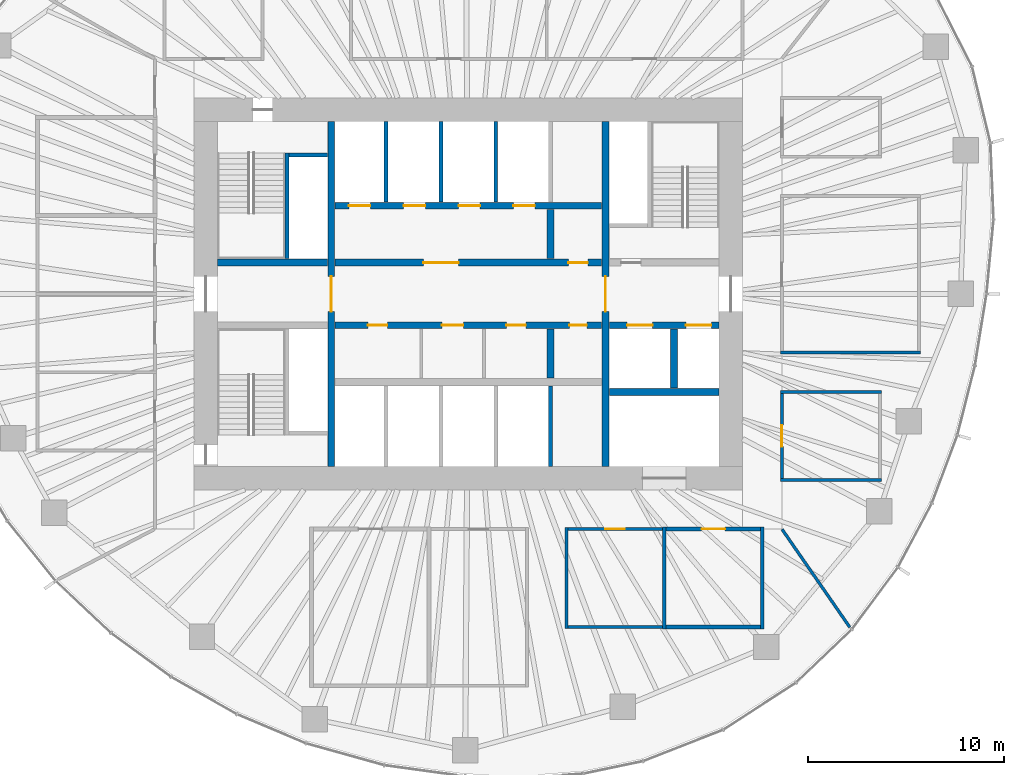
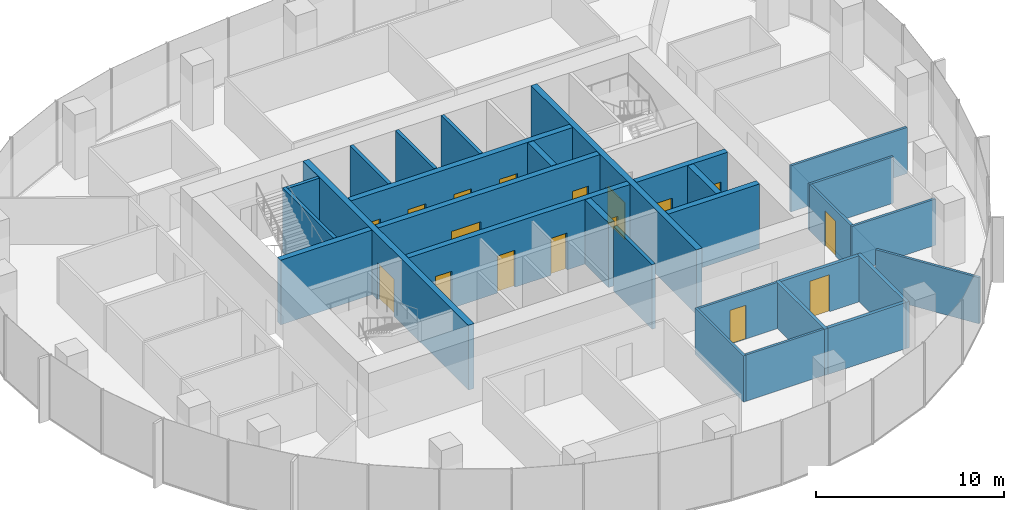
# One storey, part 9 of 12: 29 walls, 17 doors, 17 openings.
"""IFC4 building model written with IfcOpenShell, lengths in metres."""

import ifcopenshell
import ifcopenshell.guid

model = None  # the IFC model being written
_history = None  # IfcOwnerHistory: only IFC2X3 demands one
_inside = {}  # id of a spatial element -> (the spatial element, [elements in it])
_under = {}  # id of a project, library or spatial element -> (it, [spatial elements below it])
_declared = {}  # id of a project -> (the project, [libraries it declares])
_typed = {}  # id of a type object -> (the type object, [elements of that type])
_made_of = {}  # id of a material, layer set ... -> (it, [elements and type objects made of it])


def new_model(schema):
    """Start an empty IFC model of exactly this schema.

    Asked for "IFC4X3", IfcOpenShell would pick the latest addendum, in which some entities
    have other attributes; the version numbers below select the first issue.
    IFC2X3 requires an IfcOwnerHistory on every rooted entity: one is made here for all.
    """
    global model, _history
    if schema == "IFC4X3":
        model = ifcopenshell.file(schema_version=(4, 3, 0, 0))
    else:
        model = ifcopenshell.file(schema=schema)
    _inside.clear()
    _under.clear()
    _declared.clear()
    _typed.clear()
    _made_of.clear()
    _history = None
    if model.schema == "IFC2X3":
        org = make("IfcOrganization", Name="unknown")
        user = make(
            "IfcPersonAndOrganization",
            ThePerson=make("IfcPerson", FamilyName="unknown"),
            TheOrganization=org,
        )
        app = make(
            "IfcApplication",
            ApplicationDeveloper=org,
            Version="unknown",
            ApplicationFullName="unknown",
            ApplicationIdentifier="unknown",
        )
        _history = make(
            "IfcOwnerHistory",
            OwningUser=user,
            OwningApplication=app,
            ChangeAction="ADDED",
            CreationDate=0,
        )
    return model


def make(cls, **values):
    """One entity of the class cls with the attributes given. An attribute that is None is left unset."""
    return model.create_entity(
        cls, **{name: value for name, value in values.items() if value is not None}
    )


def rooted(cls, **values):
    """An entity with a GlobalId (a new one), such as an element, a storey or a relation."""
    return make(cls, GlobalId=ifcopenshell.guid.new(), OwnerHistory=_history, **values)


def si_unit(unit_type, name, prefix=None):
    """IfcSIUnit, for example si_unit("LENGTHUNIT", "METRE", prefix="MILLI")."""
    return make("IfcSIUnit", UnitType=unit_type, Prefix=prefix, Name=name)


def assignment(units):
    """IfcUnitAssignment: the units of a project."""
    return None if units is None else make("IfcUnitAssignment", Units=units)


def point(xyz):
    """IfcCartesianPoint."""
    return None if xyz is None else make("IfcCartesianPoint", Coordinates=xyz)


def direction(xyz):
    """IfcDirection."""
    return None if xyz is None else make("IfcDirection", DirectionRatios=xyz)


def frame(location, z_axis=None, x_axis=None):
    """IfcAxis2Placement3D, a coordinate frame: its origin and axes. An axis left out is left unset."""
    return make(
        "IfcAxis2Placement3D",
        Location=point(location),
        Axis=direction(z_axis),
        RefDirection=direction(x_axis),
    )


def frame_2d(location, x_axis=None):
    """IfcAxis2Placement2D, a coordinate frame in the plane: its origin and x axis."""
    return make(
        "IfcAxis2Placement2D", Location=point(location), RefDirection=direction(x_axis)
    )


def origin():
    """The frame at (0, 0, 0) with its axes left unset."""
    return frame((0.0, 0.0, 0.0))


def place(relative_to, where):
    """IfcLocalPlacement: puts the frame where relative to a parent placement (None: the world)."""
    return make(
        "IfcLocalPlacement", PlacementRelTo=relative_to, RelativePlacement=where
    )


def context(
    kind, dimensions, precision=None, world=None, true_north=None, identifier=None
):
    """IfcGeometricRepresentationContext, for example the 3D "Model" context."""
    return make(
        "IfcGeometricRepresentationContext",
        ContextIdentifier=identifier,
        ContextType=kind,
        CoordinateSpaceDimension=dimensions,
        Precision=precision,
        WorldCoordinateSystem=world,
        TrueNorth=true_north,
    )


def subcontext(parent, identifier, kind, view, scale=None):
    """IfcGeometricRepresentationSubContext, for example "Body" below "Model"."""
    return make(
        "IfcGeometricRepresentationSubContext",
        ContextIdentifier=identifier,
        ContextType=kind,
        ParentContext=parent,
        TargetScale=scale,
        TargetView=view,
    )


def project(units=None, contexts=None):
    """IfcProject with its units and contexts."""
    return rooted(
        "IfcProject",
        Name="project",
        RepresentationContexts=contexts,
        UnitsInContext=assignment(units),
    )


def spatial(cls, under=None, at=None, **own):
    """A site, building, storey or space (cls), placed at a placement, below another one or the project."""
    s = rooted(cls, ObjectPlacement=at, **own)
    if under is not None:
        _under.setdefault(under.id(), (under, []))[1].append(s)
    return s


def profile(cls, at=None, kind="AREA", **sizes):
    """A parametric profile (cls). Its sizes go by their IFC names, for example OverallWidth=200.0."""
    return make(cls, ProfileType=kind, Position=at, **sizes)


def rectangle(**sizes):
    """IfcRectangleProfileDef."""
    return profile("IfcRectangleProfileDef", **sizes)


def extrude(swept, where, along, depth):
    """IfcExtrudedAreaSolid: the profile swept, set in the frame where, extruded along a direction by depth."""
    return make(
        "IfcExtrudedAreaSolid",
        SweptArea=swept,
        Position=where,
        ExtrudedDirection=direction(along),
        Depth=depth,
    )


def shape(context_of_items, identifier, shape_type, items):
    """IfcShapeRepresentation: the items that make up one representation, for example the "Body"."""
    return make(
        "IfcShapeRepresentation",
        ContextOfItems=context_of_items,
        RepresentationIdentifier=identifier,
        RepresentationType=shape_type,
        Items=items,
    )


def material(Name=None, Category=None):
    """IfcMaterial."""
    return make("IfcMaterial", Name=Name, Category=Category)


def layer(
    of_material, thickness, ventilated=None, Name=None, Category=None, Priority=None
):
    """IfcMaterialLayer: one layer of a wall or slab, of a material (None: an air gap)."""
    return make(
        "IfcMaterialLayer",
        Material=of_material,
        LayerThickness=thickness,
        IsVentilated=ventilated,
        Name=Name,
        Category=Category,
        Priority=Priority,
    )


def layer_set(layers, Name=None):
    """IfcMaterialLayerSet."""
    return make("IfcMaterialLayerSet", MaterialLayers=layers, LayerSetName=Name)


def made_of(thing, what):
    """Note that an element or type object is made of a material, layer set ...; save() writes the relation."""
    if what is not None:
        _made_of.setdefault(what.id(), (what, []))[1].append(thing)
    return thing


def type_object(cls, material=None, **own):
    """A type object (cls), such as IfcWallType, which elements share."""
    return made_of(rooted(cls, **own), material)


def element(
    cls,
    number,
    at=None,
    inside=None,
    cuts=None,
    type_object=None,
    material=None,
    context=None,
    identifier="Body",
    shape_type=None,
    held_by="IfcProductDefinitionShape",
    body=None,
    shapes=None,
    **own,
):
    """One element of the class cls, such as IfcWall. Its Tag is "e" and its number.

    at: its placement. inside: the storey or other place that contains it. cuts: it is an
    opening in that element (IfcRelVoidsElement). A single representation is given by context,
    identifier, shape_type and body (its items); several are given by shapes. held_by: the class
    of the entity that holds the representations. save() writes the other relations.
    """
    e = rooted(cls, Tag="e%d" % number, ObjectPlacement=at, **own)
    if body is not None:
        shapes = [shape(context, identifier, shape_type, body)]
    if shapes is not None:
        e.Representation = make(held_by, Representations=shapes)
    if inside is not None:
        _inside.setdefault(inside.id(), (inside, []))[1].append(e)
    if cuts is not None:
        rooted(
            "IfcRelVoidsElement", RelatingBuildingElement=cuts, RelatedOpeningElement=e
        )
    if type_object is not None:
        _typed.setdefault(type_object.id(), (type_object, []))[1].append(e)
    return made_of(e, material)


def fill(opening, filler):
    """IfcRelFillsElement: the door or window that sits in an opening."""
    return rooted(
        "IfcRelFillsElement",
        RelatingOpeningElement=opening,
        RelatedBuildingElement=filler,
    )


def aggregate(whole, parts):
    """IfcRelAggregates: a whole, such as a stair, and the parts it consists of."""
    return rooted("IfcRelAggregates", RelatingObject=whole, RelatedObjects=parts)


def save(model, path):
    """Write the relations noted so far, then the file.

    IfcRelAggregates (storeys below a building ...), IfcRelContainedInSpatialStructure (elements
    in a storey), IfcRelDefinesByType, IfcRelAssociatesMaterial and IfcRelDeclares: one each for
    every whole, place, type object, material and project.
    """
    for whole, parts in _under.values():
        aggregate(whole, parts)
    for where, things in _inside.values():
        rooted(
            "IfcRelContainedInSpatialStructure",
            RelatedElements=things,
            RelatingStructure=where,
        )
    for kind, things in _typed.values():
        rooted("IfcRelDefinesByType", RelatedObjects=things, RelatingType=kind)
    for what, things in _made_of.values():
        rooted("IfcRelAssociatesMaterial", RelatedObjects=things, RelatingMaterial=what)
    for by, libraries in _declared.values():
        rooted("IfcRelDeclares", RelatingContext=by, RelatedDefinitions=libraries)
    model.write(path)


model = new_model("IFC4")

# Units and contexts
model_context = context("Model", 3, precision=1e-05, world=origin(), true_north=direction((0.0, 1.0)))
body_context = subcontext(model_context, "Body", "Model", "MODEL_VIEW")
ifc_project = project(units=[si_unit("LENGTHUNIT", "METRE"), si_unit("AREAUNIT", "SQUARE_METRE"), si_unit("VOLUMEUNIT", "CUBIC_METRE"), si_unit("PLANEANGLEUNIT", "RADIAN"), si_unit("MASSUNIT", "GRAM", prefix="KILO")], contexts=[model_context])

# Site, building, storey
site_placement = place(None, origin())
site = spatial("IfcSite", under=ifc_project, at=site_placement, CompositionType="ELEMENT")
building_placement = place(site_placement, origin())
building = spatial("IfcBuilding", under=site, at=building_placement, Name="Ghaith Harvest Tower", CompositionType="ELEMENT")
storey_placement = place(building_placement, frame((0.0, 0.0, 224.199951171875)))
storey = spatial("IfcBuildingStorey", under=building, at=storey_placement, Name="L49", CompositionType="ELEMENT", Elevation=224.199951171875)

# Walls
ifc_material_1 = material(Name="Twin-stud gypsum board, acoustic", Category="gypsum")
ifc_layer_1 = layer(ifc_material_1, 0.199951171875)
ifc_layer_set_1 = layer_set([ifc_layer_1], Name="ACOUSTIC PARTITION 200")
wall_type_1 = type_object("IfcWallType", Name="ACOUSTIC PARTITION 200", PredefinedType="PARTITIONING", material=ifc_layer_set_1)
for number, where, z_axis, x_axis, name in (
    (1, (10.0, -11.89990234375, 0.0), (0.0, 0.0, 1.0), (0.0, -1.0, 0.0), "Partition L49 row S4 cross wall 2"),
    (2, (15.0, -11.89990234375, 0.0), (0.0, 0.0, 1.0), (0.0, -1.0, 0.0), "Partition L49 row S4 cross wall 3"),
):
    element("IfcWall", number, at=place(storey_placement, frame(where, z_axis=z_axis, x_axis=x_axis)), inside=storey, type_object=wall_type_1, Name=name, PredefinedType="PARTITIONING", context=body_context, shape_type="SweptSolid", body=[
        extrude(rectangle(XDim=5.2001953125, YDim=0.199951171875, at=frame_2d((2.60009765625, 0.0))), origin(), (0.0, 0.0, 1.0), 3.0),
    ])

# Wall, opening, door
wall_1_placement = place(storey_placement, frame((10.10009765625, -12.0, 0.0), z_axis=(0.0, 0.0, 1.0), x_axis=(1.0, 0.0, 0.0)))
wall_1 = element("IfcWall", 3, at=wall_1_placement, inside=storey, type_object=wall_type_1, Name="Partition L49-07", PredefinedType="PARTITIONING", context=body_context, shape_type="SweptSolid", body=[
    extrude(rectangle(XDim=4.7998046875, YDim=0.199951171875, at=frame_2d((2.39990234375, 0.0))), origin(), (0.0, 0.0, 1.0), 3.0),
])
opening_1_placement = place(wall_1_placement, frame((1.800048828125, 0.0, 0.0)))
opening_1 = element("IfcOpeningElement", 4, at=opening_1_placement, cuts=wall_1, Name="Opening 49-027", PredefinedType="OPENING", context=body_context, shape_type="SweptSolid", body=[
    extrude(rectangle(XDim=1.199951171875, YDim=2.39990234375, at=frame_2d((0.60009765625, 1.199951171875))), frame((0.0, 0.10986328125, 0.0), z_axis=(0.0, -1.0, 0.0), x_axis=(1.0, 0.0, 0.0)), (0.0, 0.0, 1.0), 0.219970703125),
])
ifc_material_2 = material(Name="Timber door", Category="wood")
door_type_1 = type_object("IfcDoorType", Name="D11 GLAZED 1200x2400", OperationType="SINGLE_SWING_LEFT", PredefinedType="DOOR", material=ifc_material_2)
door_1_placement = place(opening_1_placement, origin())
door_1 = element("IfcDoor", 5, at=door_1_placement, inside=storey, type_object=door_type_1, Name="Meeting room door", OperationType="SINGLE_SWING_LEFT", OverallHeight=2.39990234375, OverallWidth=1.199951171875, PredefinedType="DOOR", context=body_context, shape_type="SweptSolid", body=[
    extrude(rectangle(XDim=1.199951171875, YDim=2.39990234375, at=frame_2d((0.60009765625, 1.199951171875))), frame((0.0, 0.02490234375, 0.0), z_axis=(0.0, -1.0, 0.0), x_axis=(1.0, 0.0, 0.0)), (0.0, 0.0, 1.0), 0.050048828125),
])
fill(opening_1, door_1)

# Walls
wall_2_placement = place(storey_placement, frame((10.10009765625, -17.0, 0.0), z_axis=(0.0, 0.0, 1.0), x_axis=(1.0, 0.0, 0.0)))
element("IfcWall", 6, at=wall_2_placement, inside=storey, type_object=wall_type_1, Name="Partition L49-07", PredefinedType="PARTITIONING", context=body_context, shape_type="SweptSolid", body=[
    extrude(rectangle(XDim=4.7998046875, YDim=0.199951171875, at=frame_2d((2.39990234375, 0.0))), origin(), (0.0, 0.0, 1.0), 3.0),
])
ifc_material_3 = material(Name="Concrete blockwork, 2-hour", Category="masonry")
ifc_layer_2 = layer(ifc_material_3, 0.199951171875)
ifc_layer_set_2 = layer_set([ifc_layer_2], Name="LIFT SHAFT WALL 200")
wall_type_2 = type_object("IfcWallType", Name="LIFT SHAFT WALL 200", PredefinedType="PARTITIONING", material=ifc_layer_set_2)
for number, where, z_axis, x_axis, name in (
    (7, (-4.199951171875, 4.699951171875, 0.0), (0.0, 0.0, 1.0), (0.0, 1.0, 0.0), "Lift shaft wall L49"),
    (8, (-1.39990234375, 4.699951171875, 0.0), (0.0, 0.0, 1.0), (0.0, 1.0, 0.0), "Lift shaft wall L49"),
    (9, (1.39990234375, 4.699951171875, 0.0), (0.0, 0.0, 1.0), (0.0, 1.0, 0.0), "Lift shaft wall L49"),
    (10, (4.199951171875, -4.699951171875, 0.0), (0.0, 0.0, 1.0), (0.0, -1.0, 0.0), "Lift shaft wall L49"),
):
    element("IfcWall", number, at=place(storey_placement, frame(where, z_axis=z_axis, x_axis=x_axis)), inside=storey, type_object=wall_type_2, Name=name, PredefinedType="PARTITIONING", context=body_context, shape_type="SweptSolid", body=[
        extrude(rectangle(XDim=4.10009765625, YDim=0.199951171875, at=frame_2d((2.050048828125, 0.0))), origin(), (0.0, 0.0, 1.0), 4.199951171875),
    ])
ifc_material_4 = material(Name="Gypsum board on steel studs", Category="steel")
ifc_layer_3 = layer(ifc_material_4, 0.14990234375)
ifc_layer_set_3 = layer_set([ifc_layer_3], Name="PARTITION 150")
wall_type_3 = type_object("IfcWallType", Name="PARTITION 150", PredefinedType="PARTITIONING", material=ifc_layer_set_3)
wall_3_placement = place(storey_placement, frame((5.0, -11.925048828125, 0.0), z_axis=(0.0, 0.0, 1.0), x_axis=(0.0, -1.0, 0.0)))
element("IfcWall", 11, at=wall_3_placement, inside=storey, type_object=wall_type_3, Name="Partition L49 row S4 cross wall 1", PredefinedType="PARTITIONING", context=body_context, shape_type="SweptSolid", body=[
    extrude(rectangle(XDim=5.14990234375, YDim=0.14990234375, at=frame_2d((2.574951171875, 0.0))), origin(), (0.0, 0.0, 1.0), 3.0),
])

# Wall, opening, door
wall_4_placement = place(storey_placement, frame((5.074951171875, -12.0, 0.0), z_axis=(0.0, 0.0, 1.0), x_axis=(1.0, 0.0, 0.0)))
wall_4 = element("IfcWall", 12, at=wall_4_placement, inside=storey, type_object=wall_type_3, Name="Partition L49-06", PredefinedType="PARTITIONING", context=body_context, shape_type="SweptSolid", body=[
    extrude(rectangle(XDim=4.824951171875, YDim=0.14990234375, at=frame_2d((2.41259765625, 0.0))), origin(), (0.0, 0.0, 1.0), 3.0),
])
opening_2_placement = place(wall_4_placement, frame((1.91259765625, 0.0, 0.0)))
opening_2 = element("IfcOpeningElement", 13, at=opening_2_placement, cuts=wall_4, Name="Opening 49-026", PredefinedType="OPENING", context=body_context, shape_type="SweptSolid", body=[
    extrude(rectangle(XDim=1.0, YDim=2.199951171875, at=frame_2d((0.5, 1.10009765625))), frame((0.0, 0.0849609375, 0.0), z_axis=(0.0, -1.0, 0.0), x_axis=(1.0, 0.0, 0.0)), (0.0, 0.0, 1.0), 0.169921875),
])
ifc_material_5 = material(Name="Timber door", Category="wood")
door_type_2 = type_object("IfcDoorType", Name="D1 SINGLE 1000x2200", OperationType="SINGLE_SWING_LEFT", PredefinedType="DOOR", material=ifc_material_5)
door_2_placement = place(opening_2_placement, origin())
door_2 = element("IfcDoor", 14, at=door_2_placement, inside=storey, type_object=door_type_2, Name="Pantry door", OperationType="SINGLE_SWING_LEFT", OverallHeight=2.199951171875, OverallWidth=1.0, PredefinedType="DOOR", context=body_context, shape_type="SweptSolid", body=[
    extrude(rectangle(XDim=1.0, YDim=2.199951171875, at=frame_2d((0.5, 1.10009765625))), frame((0.0, 0.02490234375, 0.0), z_axis=(0.0, -1.0, 0.0), x_axis=(1.0, 0.0, 0.0)), (0.0, 0.0, 1.0), 0.050048828125),
])
fill(opening_2, door_2)

# Walls
wall_5_placement = place(storey_placement, frame((5.074951171875, -17.0, 0.0), z_axis=(0.0, 0.0, 1.0), x_axis=(1.0, 0.0, 0.0)))
element("IfcWall", 15, at=wall_5_placement, inside=storey, type_object=wall_type_3, Name="Partition L49-06", PredefinedType="PARTITIONING", context=body_context, shape_type="SweptSolid", body=[
    extrude(rectangle(XDim=4.824951171875, YDim=0.14990234375, at=frame_2d((2.41259765625, 0.0))), origin(), (0.0, 0.0, 1.0), 3.0),
])
wall_6_placement = place(storey_placement, frame((15.925048828125, -3.0, 0.0), z_axis=(0.0, 0.0, 1.0), x_axis=(1.0, 0.0, 0.0)))
element("IfcWall", 16, at=wall_6_placement, inside=storey, type_object=wall_type_3, Name="Partition L49 row E5 cross wall 1", PredefinedType="PARTITIONING", context=body_context, shape_type="SweptSolid", body=[
    extrude(rectangle(XDim=7.14990234375, YDim=0.14990234375, at=frame_2d((3.574951171875, 0.0))), origin(), (0.0, 0.0, 1.0), 3.0),
])
for number, where, z_axis, x_axis, name in (
    (17, (15.925048828125, -9.5, 0.0), (0.0, 0.0, 1.0), (1.0, 0.0, 0.0), "Partition L49 row E8 cross wall 1"),
    (18, (15.925048828125, -5.0, 0.0), (0.0, 0.0, 1.0), (1.0, 0.0, 0.0), "Partition L49 row E8 cross wall 2"),
):
    element("IfcWall", number, at=place(storey_placement, frame(where, z_axis=z_axis, x_axis=x_axis)), inside=storey, type_object=wall_type_3, Name=name, PredefinedType="PARTITIONING", context=body_context, shape_type="SweptSolid", body=[
        extrude(rectangle(XDim=5.14990234375, YDim=0.14990234375, at=frame_2d((2.574951171875, 0.0))), origin(), (0.0, 0.0, 1.0), 3.0),
    ])

# Wall, opening, door
wall_7_placement = place(storey_placement, frame((16.0, -9.425048828125, 0.0), z_axis=(0.0, 0.0, 1.0), x_axis=(0.0, 1.0, 0.0)))
wall_7 = element("IfcWall", 19, at=wall_7_placement, inside=storey, type_object=wall_type_3, Name="Partition L49-14", PredefinedType="PARTITIONING", context=body_context, shape_type="SweptSolid", body=[
    extrude(rectangle(XDim=4.35009765625, YDim=0.14990234375, at=frame_2d((2.175048828125, 0.0))), origin(), (0.0, 0.0, 1.0), 3.0),
])
opening_3_placement = place(wall_7_placement, frame((1.625, 0.0, 0.0)))
opening_3 = element("IfcOpeningElement", 20, at=opening_3_placement, cuts=wall_7, Name="Opening 49-034", PredefinedType="OPENING", context=body_context, shape_type="SweptSolid", body=[
    extrude(rectangle(XDim=1.10009765625, YDim=2.300048828125, at=frame_2d((0.550048828125, 1.14990234375))), frame((0.0, 0.0849609375, 0.0), z_axis=(0.0, -1.0, 0.0), x_axis=(1.0, 0.0, 0.0)), (0.0, 0.0, 1.0), 0.169921875),
])
ifc_material_6 = material(Name="Timber-framed glazed door", Category="wood")
door_type_3 = type_object("IfcDoorType", Name="D12 GLAZED OFFICE 1100x2300", OperationType="SINGLE_SWING_LEFT", PredefinedType="DOOR", material=ifc_material_6)
door_3_placement = place(opening_3_placement, origin())
door_3 = element("IfcDoor", 21, at=door_3_placement, inside=storey, type_object=door_type_3, Name="Office door", OperationType="SINGLE_SWING_LEFT", OverallHeight=2.300048828125, OverallWidth=1.10009765625, PredefinedType="DOOR", context=body_context, shape_type="SweptSolid", body=[
    extrude(rectangle(XDim=1.10009765625, YDim=2.300048828125, at=frame_2d((0.550048828125, 1.14990234375))), frame((0.0, 0.02490234375, 0.0), z_axis=(0.0, -1.0, 0.0), x_axis=(1.0, 0.0, 0.0)), (0.0, 0.0, 1.0), 0.050048828125),
])
fill(opening_3, door_3)

# Wall
wall_8_placement = place(storey_placement, frame((16.011474609375, -12.016357421875, 0.0), z_axis=(0.0, 0.0, 1.0), x_axis=(0.568863489071, -0.822431961199, 0.0)))
element("IfcWall", 22, at=wall_8_placement, inside=storey, type_object=wall_type_3, Name="Partition L49 zone division", PredefinedType="PARTITIONING", context=body_context, shape_type="SweptSolid", body=[
    extrude(rectangle(XDim=6.0830078125, YDim=0.14990234375, at=frame_2d((3.04150390625, 0.0))), origin(), (0.0, 0.0, 1.0), 3.0),
])

# Wall, opening, door
ifc_material_7 = material(Name="Concrete C60/75", Category="concrete")
ifc_layer_4 = layer(ifc_material_7, 0.35009765625)
ifc_layer_set_4 = layer_set([ifc_layer_4], Name="SHAFT WALL 350")
wall_type_4 = type_object("IfcWallType", Name="SHAFT WALL 350", PredefinedType="SHEAR", material=ifc_layer_set_4)
wall_9_placement = place(storey_placement, frame((-7.0, -8.800048828125, 0.0), z_axis=(0.0, 0.0, 1.0), x_axis=(0.0, 1.0, 0.0)))
wall_9 = element("IfcWall", 23, at=wall_9_placement, inside=storey, type_object=wall_type_4, Name="Shaft wall W7W L49", PredefinedType="SHEAR", context=body_context, shape_type="SweptSolid", body=[
    extrude(rectangle(XDim=17.60009765625, YDim=0.35009765625, at=frame_2d((8.800048828125, 0.0))), origin(), (0.0, 0.0, 1.0), 4.199951171875),
])
opening_4_placement = place(wall_9_placement, frame((7.89990234375, 0.0, 0.0)))
opening_4 = element("IfcOpeningElement", 24, at=opening_4_placement, cuts=wall_9, Name="Opening 49-003", PredefinedType="OPENING", context=body_context, shape_type="SweptSolid", body=[
    extrude(rectangle(XDim=1.800048828125, YDim=2.39990234375, at=frame_2d((0.89990234375, 1.199951171875))), frame((0.0, 0.18505859375, 0.0), z_axis=(0.0, -1.0, 0.0), x_axis=(1.0, 0.0, 0.0)), (0.0, 0.0, 1.0), 0.3701171875),
])
ifc_material_8 = material(Name="Steel fire door", Category="steel")
door_type_4 = type_object("IfcDoorType", Name="D4 FD90 PAIR 1800x2400", OperationType="DOUBLE_DOOR_SINGLE_SWING", PredefinedType="DOOR", material=ifc_material_8)
door_4_placement = place(opening_4_placement, origin())
door_4 = element("IfcDoor", 25, at=door_4_placement, inside=storey, type_object=door_type_4, Name="Lift lobby doors, west", OperationType="DOUBLE_DOOR_SINGLE_SWING", OverallHeight=2.39990234375, OverallWidth=1.800048828125, PredefinedType="DOOR", context=body_context, shape_type="SweptSolid", body=[
    extrude(rectangle(XDim=1.800048828125, YDim=2.39990234375, at=frame_2d((0.89990234375, 1.199951171875))), frame((0.0, 0.02490234375, 0.0), z_axis=(0.0, -1.0, 0.0), x_axis=(1.0, 0.0, 0.0)), (0.0, 0.0, 1.0), 0.050048828125),
])
fill(opening_4, door_4)

wall_10_placement = place(storey_placement, frame((7.0, -8.800048828125, 0.0), z_axis=(0.0, 0.0, 1.0), x_axis=(0.0, 1.0, 0.0)))
wall_10 = element("IfcWall", 26, at=wall_10_placement, inside=storey, type_object=wall_type_4, Name="Shaft wall W7E L49", PredefinedType="SHEAR", context=body_context, shape_type="SweptSolid", body=[
    extrude(rectangle(XDim=17.60009765625, YDim=0.35009765625, at=frame_2d((8.800048828125, 0.0))), origin(), (0.0, 0.0, 1.0), 4.199951171875),
])
opening_5_placement = place(wall_10_placement, frame((7.89990234375, 0.0, 0.0)))
opening_5 = element("IfcOpeningElement", 27, at=opening_5_placement, cuts=wall_10, Name="Opening 49-004", PredefinedType="OPENING", context=body_context, shape_type="SweptSolid", body=[
    extrude(rectangle(XDim=1.800048828125, YDim=2.39990234375, at=frame_2d((0.89990234375, 1.199951171875))), frame((0.0, 0.18505859375, 0.0), z_axis=(0.0, -1.0, 0.0), x_axis=(1.0, 0.0, 0.0)), (0.0, 0.0, 1.0), 0.3701171875),
])
door_5_placement = place(opening_5_placement, origin())
door_5 = element("IfcDoor", 28, at=door_5_placement, inside=storey, type_object=door_type_4, Name="Lift lobby doors, east", OperationType="DOUBLE_DOOR_SINGLE_SWING", OverallHeight=2.39990234375, OverallWidth=1.800048828125, PredefinedType="DOOR", context=body_context, shape_type="SweptSolid", body=[
    extrude(rectangle(XDim=1.800048828125, YDim=2.39990234375, at=frame_2d((0.89990234375, 1.199951171875))), frame((0.0, 0.02490234375, 0.0), z_axis=(0.0, -1.0, 0.0), x_axis=(1.0, 0.0, 0.0)), (0.0, 0.0, 1.0), 0.050048828125),
])
fill(opening_5, door_5)

# Wall, openings, doors
wall_11_placement = place(storey_placement, frame((-6.800048828125, 1.60009765625, 0.0), z_axis=(0.0, 0.0, 1.0), x_axis=(1.0, 0.0, 0.0)))
wall_11 = element("IfcWall", 29, at=wall_11_placement, inside=storey, type_object=wall_type_4, Name="Shaft wall LN L49", PredefinedType="SHEAR", context=body_context, shape_type="SweptSolid", body=[
    extrude(rectangle(XDim=13.60009765625, YDim=0.35009765625, at=frame_2d((6.800048828125, 0.0))), origin(), (0.0, 0.0, 1.0), 4.199951171875),
])
opening_6_placement = place(wall_11_placement, frame((11.89990234375, 0.0, 0.0)))
opening_6 = element("IfcOpeningElement", 30, at=opening_6_placement, cuts=wall_11, Name="Opening 49-011", PredefinedType="OPENING", context=body_context, shape_type="SweptSolid", body=[
    extrude(rectangle(XDim=1.0, YDim=2.39990234375, at=frame_2d((0.5, 1.199951171875))), frame((0.0, 0.18505859375, 0.0), z_axis=(0.0, -1.0, 0.0), x_axis=(1.0, 0.0, 0.0)), (0.0, 0.0, 1.0), 0.3701171875),
])
opening_7_placement = place(wall_11_placement, frame((4.5, 0.0, 0.0)))
opening_7 = element("IfcOpeningElement", 31, at=opening_7_placement, cuts=wall_11, Name="Opening 49-013", PredefinedType="OPENING", context=body_context, shape_type="SweptSolid", body=[
    extrude(rectangle(XDim=1.800048828125, YDim=2.39990234375, at=frame_2d((0.89990234375, 1.199951171875))), frame((0.0, 0.18505859375, 0.0), z_axis=(0.0, -1.0, 0.0), x_axis=(1.0, 0.0, 0.0)), (0.0, 0.0, 1.0), 0.3701171875),
])
ifc_material_9 = material(Name="Steel fire door", Category="steel")
door_type_5 = type_object("IfcDoorType", Name="D3 FD90 1000x2400", OperationType="SINGLE_SWING_LEFT", PredefinedType="DOOR", material=ifc_material_9)
door_6_placement = place(opening_6_placement, origin())
door_6 = element("IfcDoor", 32, at=door_6_placement, inside=storey, type_object=door_type_5, Name="Electrical room door", OperationType="SINGLE_SWING_RIGHT", OverallHeight=2.39990234375, OverallWidth=1.0, PredefinedType="DOOR", context=body_context, shape_type="SweptSolid", body=[
    extrude(rectangle(XDim=1.0, YDim=2.39990234375, at=frame_2d((0.5, 1.199951171875))), frame((0.0, 0.02490234375, 0.0), z_axis=(0.0, -1.0, 0.0), x_axis=(1.0, 0.0, 0.0)), (0.0, 0.0, 1.0), 0.050048828125),
])
fill(opening_6, door_6)
door_7_placement = place(opening_7_placement, origin())
door_7 = element("IfcDoor", 33, at=door_7_placement, inside=storey, type_object=door_type_4, Name="Lift lobby doors, high-rise bank", OperationType="DOUBLE_DOOR_SINGLE_SWING", OverallHeight=2.39990234375, OverallWidth=1.800048828125, PredefinedType="DOOR", context=body_context, shape_type="SweptSolid", body=[
    extrude(rectangle(XDim=1.800048828125, YDim=2.39990234375, at=frame_2d((0.89990234375, 1.199951171875))), frame((0.0, 0.02490234375, 0.0), z_axis=(0.0, -1.0, 0.0), x_axis=(1.0, 0.0, 0.0)), (0.0, 0.0, 1.0), 0.050048828125),
])
fill(opening_7, door_7)

wall_12_placement = place(storey_placement, frame((-6.800048828125, -1.60009765625, 0.0), z_axis=(0.0, 0.0, 1.0), x_axis=(1.0, 0.0, 0.0)))
wall_12 = element("IfcWall", 34, at=wall_12_placement, inside=storey, type_object=wall_type_4, Name="Shaft wall LS L49", PredefinedType="SHEAR", context=body_context, shape_type="SweptSolid", body=[
    extrude(rectangle(XDim=13.60009765625, YDim=0.35009765625, at=frame_2d((6.800048828125, 0.0))), origin(), (0.0, 0.0, 1.0), 4.199951171875),
])
opening_8_placement = place(wall_12_placement, frame((1.6650390625, 0.0, 0.0)))
opening_8 = element("IfcOpeningElement", 35, at=opening_8_placement, cuts=wall_12, Name="Opening 49-008", PredefinedType="OPENING", context=body_context, shape_type="SweptSolid", body=[
    extrude(rectangle(XDim=1.0, YDim=2.39990234375, at=frame_2d((0.5, 1.199951171875))), frame((0.0, 0.18505859375, 0.0), z_axis=(0.0, -1.0, 0.0), x_axis=(1.0, 0.0, 0.0)), (0.0, 0.0, 1.0), 0.3701171875),
])
opening_9_placement = place(wall_12_placement, frame((5.449951171875, 0.0, 0.0)))
opening_9 = element("IfcOpeningElement", 36, at=opening_9_placement, cuts=wall_12, Name="Opening 49-009", PredefinedType="OPENING", context=body_context, shape_type="SweptSolid", body=[
    extrude(rectangle(XDim=1.10009765625, YDim=2.39990234375, at=frame_2d((0.550048828125, 1.199951171875))), frame((0.0, 0.18505859375, 0.0), z_axis=(0.0, -1.0, 0.0), x_axis=(1.0, 0.0, 0.0)), (0.0, 0.0, 1.0), 0.3701171875),
])
opening_10_placement = place(wall_12_placement, frame((8.735107421875, 0.0, 0.0)))
opening_10 = element("IfcOpeningElement", 37, at=opening_10_placement, cuts=wall_12, Name="Opening 49-010", PredefinedType="OPENING", context=body_context, shape_type="SweptSolid", body=[
    extrude(rectangle(XDim=1.0, YDim=2.39990234375, at=frame_2d((0.5, 1.199951171875))), frame((0.0, 0.18505859375, 0.0), z_axis=(0.0, -1.0, 0.0), x_axis=(1.0, 0.0, 0.0)), (0.0, 0.0, 1.0), 0.3701171875),
])
opening_11_placement = place(wall_12_placement, frame((11.949951171875, 0.0, 0.0)))
opening_11 = element("IfcOpeningElement", 38, at=opening_11_placement, cuts=wall_12, Name="Opening 49-012", PredefinedType="OPENING", context=body_context, shape_type="SweptSolid", body=[
    extrude(rectangle(XDim=0.89990234375, YDim=2.39990234375, at=frame_2d((0.449951171875, 1.199951171875))), frame((0.0, 0.18505859375, 0.0), z_axis=(0.0, -1.0, 0.0), x_axis=(1.0, 0.0, 0.0)), (0.0, 0.0, 1.0), 0.3701171875),
])
door_8_placement = place(opening_8_placement, origin())
door_8 = element("IfcDoor", 39, at=door_8_placement, inside=storey, type_object=door_type_5, Name="Female WC door", OperationType="SINGLE_SWING_LEFT", OverallHeight=2.39990234375, OverallWidth=1.0, PredefinedType="DOOR", context=body_context, shape_type="SweptSolid", body=[
    extrude(rectangle(XDim=1.0, YDim=2.39990234375, at=frame_2d((0.5, 1.199951171875))), frame((0.0, 0.02490234375, 0.0), z_axis=(0.0, -1.0, 0.0), x_axis=(1.0, 0.0, 0.0)), (0.0, 0.0, 1.0), 0.050048828125),
])
fill(opening_8, door_8)
door_9_placement = place(opening_10_placement, origin())
door_9 = element("IfcDoor", 40, at=door_9_placement, inside=storey, type_object=door_type_5, Name="Male WC door", OperationType="SINGLE_SWING_RIGHT", OverallHeight=2.39990234375, OverallWidth=1.0, PredefinedType="DOOR", context=body_context, shape_type="SweptSolid", body=[
    extrude(rectangle(XDim=1.0, YDim=2.39990234375, at=frame_2d((0.5, 1.199951171875))), frame((0.0, 0.02490234375, 0.0), z_axis=(0.0, -1.0, 0.0), x_axis=(1.0, 0.0, 0.0)), (0.0, 0.0, 1.0), 0.050048828125),
])
fill(opening_10, door_9)
ifc_material_10 = material(Name="Steel fire door", Category="steel")
door_type_6 = type_object("IfcDoorType", Name="D5 FD90 900x2400", OperationType="SINGLE_SWING_LEFT", PredefinedType="DOOR", material=ifc_material_10)
door_10_placement = place(opening_11_placement, origin())
door_10 = element("IfcDoor", 41, at=door_10_placement, inside=storey, type_object=door_type_6, Name="Cleaner's store door", OperationType="SINGLE_SWING_RIGHT", OverallHeight=2.39990234375, OverallWidth=0.89990234375, PredefinedType="DOOR", context=body_context, shape_type="SweptSolid", body=[
    extrude(rectangle(XDim=0.89990234375, YDim=2.39990234375, at=frame_2d((0.449951171875, 1.199951171875))), frame((0.0, 0.02490234375, 0.0), z_axis=(0.0, -1.0, 0.0), x_axis=(1.0, 0.0, 0.0)), (0.0, 0.0, 1.0), 0.050048828125),
])
fill(opening_11, door_10)
ifc_material_11 = material(Name="Steel fire door", Category="steel")
door_type_7 = type_object("IfcDoorType", Name="D9 FD90 1100x2400", OperationType="SINGLE_SWING_LEFT", PredefinedType="DOOR", material=ifc_material_11)
door_11_placement = place(opening_9_placement, origin())
door_11 = element("IfcDoor", 42, at=door_11_placement, inside=storey, type_object=door_type_7, Name="Accessible WC door", OperationType="SINGLE_SWING_LEFT", OverallHeight=2.39990234375, OverallWidth=1.10009765625, PredefinedType="DOOR", context=body_context, shape_type="SweptSolid", body=[
    extrude(rectangle(XDim=1.10009765625, YDim=2.39990234375, at=frame_2d((0.550048828125, 1.199951171875))), frame((0.0, 0.02490234375, 0.0), z_axis=(0.0, -1.0, 0.0), x_axis=(1.0, 0.0, 0.0)), (0.0, 0.0, 1.0), 0.050048828125),
])
fill(opening_9, door_11)

wall_13_placement = place(storey_placement, frame((-6.800048828125, 4.5, 0.0), z_axis=(0.0, 0.0, 1.0), x_axis=(1.0, 0.0, 0.0)))
wall_13 = element("IfcWall", 43, at=wall_13_placement, inside=storey, type_object=wall_type_4, Name="Shaft wall BN L49", PredefinedType="SHEAR", context=body_context, shape_type="SweptSolid", body=[
    extrude(rectangle(XDim=13.60009765625, YDim=0.35009765625, at=frame_2d((6.800048828125, 0.0))), origin(), (0.0, 0.0, 1.0), 4.199951171875),
])
opening_12_placement = place(wall_13_placement, frame((0.699951171875, 0.0, 0.0)))
opening_12 = element("IfcOpeningElement", 44, at=opening_12_placement, cuts=wall_13, Name="Opening 49-014", PredefinedType="OPENING", context=body_context, shape_type="SweptSolid", body=[
    extrude(rectangle(XDim=1.10009765625, YDim=2.39990234375, at=frame_2d((0.550048828125, 1.199951171875))), frame((0.0, 0.18505859375, 0.0), z_axis=(0.0, -1.0, 0.0), x_axis=(1.0, 0.0, 0.0)), (0.0, 0.0, 1.0), 0.3701171875),
])
opening_13_placement = place(wall_13_placement, frame((3.5, 0.0, 0.0)))
opening_13 = element("IfcOpeningElement", 45, at=opening_13_placement, cuts=wall_13, Name="Opening 49-015", PredefinedType="OPENING", context=body_context, shape_type="SweptSolid", body=[
    extrude(rectangle(XDim=1.10009765625, YDim=2.39990234375, at=frame_2d((0.550048828125, 1.199951171875))), frame((0.0, 0.18505859375, 0.0), z_axis=(0.0, -1.0, 0.0), x_axis=(1.0, 0.0, 0.0)), (0.0, 0.0, 1.0), 0.3701171875),
])
opening_14_placement = place(wall_13_placement, frame((6.300048828125, 0.0, 0.0)))
opening_14 = element("IfcOpeningElement", 46, at=opening_14_placement, cuts=wall_13, Name="Opening 49-016", PredefinedType="OPENING", context=body_context, shape_type="SweptSolid", body=[
    extrude(rectangle(XDim=1.10009765625, YDim=2.39990234375, at=frame_2d((0.550048828125, 1.199951171875))), frame((0.0, 0.18505859375, 0.0), z_axis=(0.0, -1.0, 0.0), x_axis=(1.0, 0.0, 0.0)), (0.0, 0.0, 1.0), 0.3701171875),
])
opening_15_placement = place(wall_13_placement, frame((9.10009765625, 0.0, 0.0)))
opening_15 = element("IfcOpeningElement", 47, at=opening_15_placement, cuts=wall_13, Name="Opening 49-017", PredefinedType="OPENING", context=body_context, shape_type="SweptSolid", body=[
    extrude(rectangle(XDim=1.10009765625, YDim=2.39990234375, at=frame_2d((0.550048828125, 1.199951171875))), frame((0.0, 0.18505859375, 0.0), z_axis=(0.0, -1.0, 0.0), x_axis=(1.0, 0.0, 0.0)), (0.0, 0.0, 1.0), 0.3701171875),
])
ifc_material_12 = material(Name="Steel fire door", Category="steel")
door_type_8 = type_object("IfcDoorType", Name="LD1 LANDING 1100x2400", OperationType="DOUBLE_DOOR_SLIDING", PredefinedType="DOOR", material=ifc_material_12)
door_12_placement = place(opening_12_placement, origin())
door_12 = element("IfcDoor", 48, at=door_12_placement, inside=storey, type_object=door_type_8, Name="Landing door, lift HR1", OperationType="DOUBLE_DOOR_SLIDING", OverallHeight=2.39990234375, OverallWidth=1.10009765625, PredefinedType="DOOR", context=body_context, shape_type="SweptSolid", body=[
    extrude(rectangle(XDim=1.10009765625, YDim=2.39990234375, at=frame_2d((0.550048828125, 1.199951171875))), frame((0.0, 0.02490234375, 0.0), z_axis=(0.0, -1.0, 0.0), x_axis=(1.0, 0.0, 0.0)), (0.0, 0.0, 1.0), 0.050048828125),
])
fill(opening_12, door_12)
door_13_placement = place(opening_13_placement, origin())
door_13 = element("IfcDoor", 49, at=door_13_placement, inside=storey, type_object=door_type_8, Name="Landing door, lift HR2", OperationType="DOUBLE_DOOR_SLIDING", OverallHeight=2.39990234375, OverallWidth=1.10009765625, PredefinedType="DOOR", context=body_context, shape_type="SweptSolid", body=[
    extrude(rectangle(XDim=1.10009765625, YDim=2.39990234375, at=frame_2d((0.550048828125, 1.199951171875))), frame((0.0, 0.02490234375, 0.0), z_axis=(0.0, -1.0, 0.0), x_axis=(1.0, 0.0, 0.0)), (0.0, 0.0, 1.0), 0.050048828125),
])
fill(opening_13, door_13)
door_14_placement = place(opening_14_placement, origin())
door_14 = element("IfcDoor", 50, at=door_14_placement, inside=storey, type_object=door_type_8, Name="Landing door, lift HR3", OperationType="DOUBLE_DOOR_SLIDING", OverallHeight=2.39990234375, OverallWidth=1.10009765625, PredefinedType="DOOR", context=body_context, shape_type="SweptSolid", body=[
    extrude(rectangle(XDim=1.10009765625, YDim=2.39990234375, at=frame_2d((0.550048828125, 1.199951171875))), frame((0.0, 0.02490234375, 0.0), z_axis=(0.0, -1.0, 0.0), x_axis=(1.0, 0.0, 0.0)), (0.0, 0.0, 1.0), 0.050048828125),
])
fill(opening_14, door_14)
door_15_placement = place(opening_15_placement, origin())
door_15 = element("IfcDoor", 51, at=door_15_placement, inside=storey, type_object=door_type_8, Name="Landing door, lift HR4", OperationType="DOUBLE_DOOR_SLIDING", OverallHeight=2.39990234375, OverallWidth=1.10009765625, PredefinedType="DOOR", context=body_context, shape_type="SweptSolid", body=[
    extrude(rectangle(XDim=1.10009765625, YDim=2.39990234375, at=frame_2d((0.550048828125, 1.199951171875))), frame((0.0, 0.02490234375, 0.0), z_axis=(0.0, -1.0, 0.0), x_axis=(1.0, 0.0, 0.0)), (0.0, 0.0, 1.0), 0.050048828125),
])
fill(opening_15, door_15)

# Wall
wall_14_placement = place(storey_placement, frame((-12.800048828125, 1.60009765625, 0.0), z_axis=(0.0, 0.0, 1.0), x_axis=(1.0, 0.0, 0.0)))
element("IfcWall", 52, at=wall_14_placement, inside=storey, type_object=wall_type_4, Name="Shaft wall WN L49", PredefinedType="SHEAR", context=body_context, shape_type="SweptSolid", body=[
    extrude(rectangle(XDim=5.60009765625, YDim=0.35009765625, at=frame_2d((2.800048828125, 0.0))), origin(), (0.0, 0.0, 1.0), 4.199951171875),
])

# Wall, openings, doors
wall_15_placement = place(storey_placement, frame((7.199951171875, -1.60009765625, 0.0), z_axis=(0.0, 0.0, 1.0), x_axis=(1.0, 0.0, 0.0)))
wall_15 = element("IfcWall", 53, at=wall_15_placement, inside=storey, type_object=wall_type_4, Name="Shaft wall ES L49", PredefinedType="SHEAR", context=body_context, shape_type="SweptSolid", body=[
    extrude(rectangle(XDim=5.60009765625, YDim=0.35009765625, at=frame_2d((2.800048828125, 0.0))), origin(), (0.0, 0.0, 1.0), 4.199951171875),
])
opening_16_placement = place(wall_15_placement, frame((0.89990234375, 0.0, 0.0)))
opening_16 = element("IfcOpeningElement", 54, at=opening_16_placement, cuts=wall_15, Name="Opening 49-018", PredefinedType="OPENING", context=body_context, shape_type="SweptSolid", body=[
    extrude(rectangle(XDim=1.300048828125, YDim=2.39990234375, at=frame_2d((0.64990234375, 1.199951171875))), frame((0.0, 0.18505859375, 0.0), z_axis=(0.0, -1.0, 0.0), x_axis=(1.0, 0.0, 0.0)), (0.0, 0.0, 1.0), 0.3701171875),
])
opening_17_placement = place(wall_15_placement, frame((3.89990234375, 0.0, 0.0)))
opening_17 = element("IfcOpeningElement", 55, at=opening_17_placement, cuts=wall_15, Name="Opening 49-019", PredefinedType="OPENING", context=body_context, shape_type="SweptSolid", body=[
    extrude(rectangle(XDim=1.300048828125, YDim=2.39990234375, at=frame_2d((0.64990234375, 1.199951171875))), frame((0.0, 0.18505859375, 0.0), z_axis=(0.0, -1.0, 0.0), x_axis=(1.0, 0.0, 0.0)), (0.0, 0.0, 1.0), 0.3701171875),
])
ifc_material_13 = material(Name="Steel fire door", Category="steel")
door_type_9 = type_object("IfcDoorType", Name="LD2 LANDING 1300x2400", OperationType="DOUBLE_DOOR_SLIDING", PredefinedType="DOOR", material=ifc_material_13)
door_16_placement = place(opening_16_placement, origin())
door_16 = element("IfcDoor", 56, at=door_16_placement, inside=storey, type_object=door_type_9, Name="Landing door, fire service lift FL1", OperationType="DOUBLE_DOOR_SLIDING", OverallHeight=2.39990234375, OverallWidth=1.300048828125, PredefinedType="DOOR", context=body_context, shape_type="SweptSolid", body=[
    extrude(rectangle(XDim=1.300048828125, YDim=2.39990234375, at=frame_2d((0.64990234375, 1.199951171875))), frame((0.0, 0.02490234375, 0.0), z_axis=(0.0, -1.0, 0.0), x_axis=(1.0, 0.0, 0.0)), (0.0, 0.0, 1.0), 0.050048828125),
])
fill(opening_16, door_16)
door_17_placement = place(opening_17_placement, origin())
door_17 = element("IfcDoor", 57, at=door_17_placement, inside=storey, type_object=door_type_9, Name="Landing door, fire service lift FL2", OperationType="DOUBLE_DOOR_SLIDING", OverallHeight=2.39990234375, OverallWidth=1.300048828125, PredefinedType="DOOR", context=body_context, shape_type="SweptSolid", body=[
    extrude(rectangle(XDim=1.300048828125, YDim=2.39990234375, at=frame_2d((0.64990234375, 1.199951171875))), frame((0.0, 0.02490234375, 0.0), z_axis=(0.0, -1.0, 0.0), x_axis=(1.0, 0.0, 0.0)), (0.0, 0.0, 1.0), 0.050048828125),
])
fill(opening_17, door_17)

# Walls
wall_16_placement = place(storey_placement, frame((10.5, -4.800048828125, 0.0), z_axis=(0.0, 0.0, 1.0), x_axis=(0.0, 1.0, 0.0)))
element("IfcWall", 58, at=wall_16_placement, inside=storey, type_object=wall_type_4, Name="Shaft wall FLD L49", PredefinedType="SHEAR", context=body_context, shape_type="SweptSolid", body=[
    extrude(rectangle(XDim=3.0, YDim=0.35009765625, at=frame_2d((1.5, 0.0))), origin(), (0.0, 0.0, 1.0), 4.199951171875),
])
wall_17_placement = place(storey_placement, frame((7.199951171875, -5.0, 0.0), z_axis=(0.0, 0.0, 1.0), x_axis=(1.0, 0.0, 0.0)))
element("IfcWall", 59, at=wall_17_placement, inside=storey, type_object=wall_type_4, Name="Shaft wall FLB L49", PredefinedType="SHEAR", context=body_context, shape_type="SweptSolid", body=[
    extrude(rectangle(XDim=5.60009765625, YDim=0.35009765625, at=frame_2d((2.800048828125, 0.0))), origin(), (0.0, 0.0, 1.0), 4.199951171875),
])
for number, where, z_axis, x_axis, name in (
    (60, (4.199951171875, 1.800048828125, 0.0), (0.0, 0.0, 1.0), (0.0, 1.0, 0.0), "Shaft wall DN4 L49"),
    (61, (4.199951171875, -4.300048828125, 0.0), (0.0, 0.0, 1.0), (0.0, 1.0, 0.0), "Shaft wall DS4 L49"),
):
    element("IfcWall", number, at=place(storey_placement, frame(where, z_axis=z_axis, x_axis=x_axis)), inside=storey, type_object=wall_type_4, Name=name, PredefinedType="SHEAR", context=body_context, shape_type="SweptSolid", body=[
        extrude(rectangle(XDim=2.5, YDim=0.35009765625, at=frame_2d((1.25, 0.0))), origin(), (0.0, 0.0, 1.0), 4.199951171875),
    ])
ifc_material_14 = material(Name="Concrete C40/50", Category="concrete")
ifc_layer_5 = layer(ifc_material_14, 0.199951171875)
ifc_layer_set_5 = layer_set([ifc_layer_5], Name="STAIR SPINE WALL RC200")
wall_type_5 = type_object("IfcWallType", Name="STAIR SPINE WALL RC200", PredefinedType="SOLIDWALL", material=ifc_layer_set_5)
wall_18_placement = place(storey_placement, frame((-9.25, 7.199951171875, 0.0), z_axis=(0.0, 0.0, 1.0), x_axis=(0.0, -1.0, 0.0)))
element("IfcWall", 62, at=wall_18_placement, inside=storey, type_object=wall_type_5, Name="Stair ST1 spine wall L49", PredefinedType="SOLIDWALL", context=body_context, shape_type="SweptSolid", body=[
    extrude(rectangle(XDim=5.39990234375, YDim=0.199951171875, at=frame_2d((2.699951171875, 0.0))), origin(), (0.0, 0.0, 1.0), 4.199951171875),
])
wall_19_placement = place(storey_placement, frame((-9.14990234375, 7.10009765625, 0.0), z_axis=(0.0, 0.0, 1.0), x_axis=(1.0, 0.0, 0.0)))
element("IfcWall", 63, at=wall_19_placement, inside=storey, type_object=wall_type_5, Name="Stair ST1 spine wall return L49", PredefinedType="SOLIDWALL", context=body_context, shape_type="SweptSolid", body=[
    extrude(rectangle(XDim=1.949951171875, YDim=0.199951171875, at=frame_2d((0.97509765625, 0.0))), origin(), (0.0, 0.0, 1.0), 4.199951171875),
])

save(model, "model.ifc")
